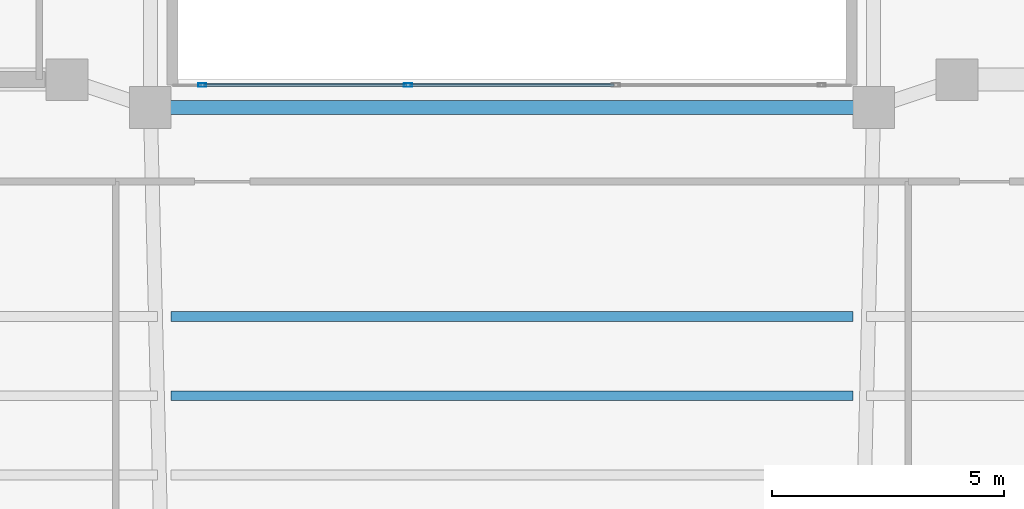
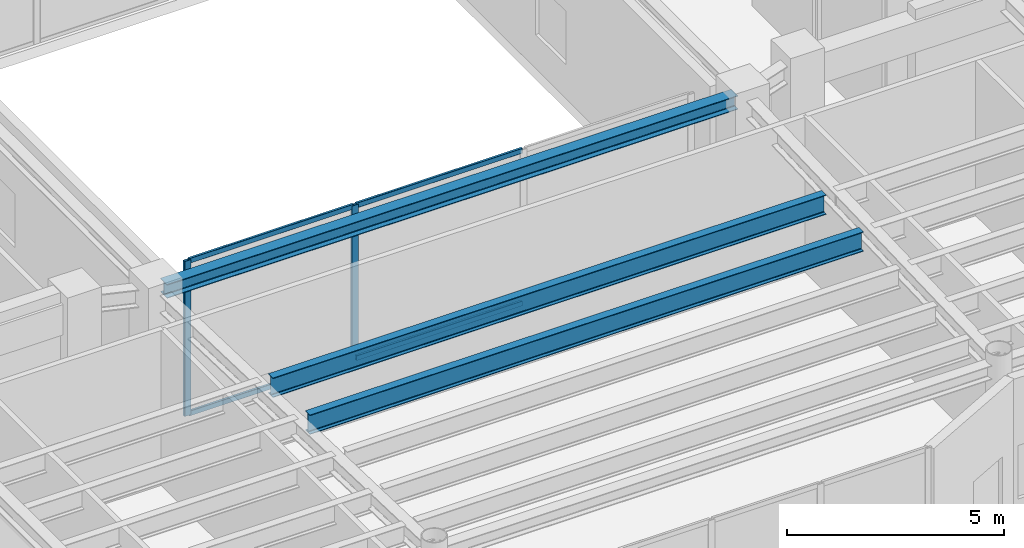
# One storey, part 3 of 23: 6 members, 3 beams, 1 element without a shape of its own.
"""IFC4 building model written with IfcOpenShell, lengths in metres."""

from ifc_helpers import new_model, si_unit, direction, frame, origin, origin_2d, place, context, subcontext, project, spatial, hollow_rectangle, i_section, extrude, material, layer, layer_set, material_profile, profile_set, type_object, element, aggregate, save


model = new_model("IFC4")

# Units and contexts
model_context = context("Model", 3, precision=1e-05, world=origin(), true_north=direction((0.0, 1.0)))
body_context = subcontext(model_context, "Body", "Model", "MODEL_VIEW")
ifc_project = project(units=[si_unit("LENGTHUNIT", "METRE"), si_unit("AREAUNIT", "SQUARE_METRE"), si_unit("VOLUMEUNIT", "CUBIC_METRE"), si_unit("PLANEANGLEUNIT", "RADIAN"), si_unit("MASSUNIT", "GRAM", prefix="KILO")], contexts=[model_context])

# Site, building, storey
site_placement = place(None, origin())
site = spatial("IfcSite", under=ifc_project, at=site_placement, CompositionType="ELEMENT")
building_placement = place(site_placement, origin())
building = spatial("IfcBuilding", under=site, at=building_placement, Name="Tarnavaz Court Tower", CompositionType="ELEMENT")
storey_placement = place(building_placement, frame((0.0, 0.0, 227.10009765625)))
storey = spatial("IfcBuildingStorey", under=building, at=storey_placement, Name="L62", CompositionType="ELEMENT", Elevation=227.10009765625)

# Beams
ifc_material_1 = material(Name="Steel S355", Category="steel")
ifc_material_profile_1 = material_profile(ifc_material_1, i_section(OverallWidth=0.2099609375, OverallDepth=0.550048828125, WebThickness=0.010986328125, FlangeThickness=0.01708984375, FilletRadius=0.02392578125, at=origin_2d()), Name="IPE 550")
ifc_profile_set_1 = profile_set([ifc_material_profile_1], Name="Steel S355")
beam_type_1 = type_object("IfcBeamType", Name="BM-J-IPE550", PredefinedType="JOIST", material=ifc_profile_set_1)
for number, where, z_axis, x_axis, name in (
    (1, (-7.35009765625, -12.31005859375, 4.074951171875), (1.0, 0.0, 0.0), (0.0, 1.0, 0.0), "L62 Beam JS1-2"),
    (2, (-7.35009765625, -14.02001953125, 4.074951171875), (1.0, 0.0, 0.0), (0.0, 1.0, 0.0), "L62 Beam JS2-2"),
):
    element("IfcBeam", number, at=place(storey_placement, frame(where, z_axis=z_axis, x_axis=x_axis)), inside=storey, type_object=beam_type_1, Name=name, PredefinedType="JOIST", context=body_context, shape_type="SweptSolid", body=[
        extrude(i_section(OverallWidth=0.2099609375, OverallDepth=0.550048828125, WebThickness=0.010986328125, FlangeThickness=0.01708984375, FilletRadius=0.02392578125, at=origin_2d()), origin(), (0.0, 0.0, 1.0), 14.7001953125),
    ])
ifc_material_profile_2 = material_profile(ifc_material_1, i_section(OverallWidth=0.300048828125, OverallDepth=0.389892578125, WebThickness=0.010986328125, FlangeThickness=0.01904296875, FilletRadius=0.027099609375, at=origin_2d()), Name="HEA 400")
ifc_profile_set_2 = profile_set([ifc_material_profile_2], Name="Steel S355")
beam_type_2 = type_object("IfcBeamType", Name="BM-SP-HEA400", PredefinedType="BEAM", material=ifc_profile_set_2)
beam_placement = place(storey_placement, frame((-7.580078125, -7.800048828125, 4.15478515625), z_axis=(1.0, 0.0, 0.0), x_axis=(0.0, 1.0, 0.0)))
element("IfcBeam", 3, at=beam_placement, inside=storey, type_object=beam_type_2, Name="L62 Beam IN-IW-SW-IW-SE", PredefinedType="BEAM", context=body_context, shape_type="SweptSolid", body=[
    extrude(i_section(OverallWidth=0.300048828125, OverallDepth=0.389892578125, WebThickness=0.010986328125, FlangeThickness=0.01904296875, FilletRadius=0.027099609375, at=origin_2d()), origin(), (0.0, 0.0, 1.0), 15.16015625),
])

# Curtain wall, members
ifc_material_2 = material(Name="Anodised Aluminium 6063-T6 and Solar Low-E Glazing", Category="aluminium")
ifc_layer = layer(ifc_material_2, 0.139892578125)
ifc_layer_set = layer_set([ifc_layer], Name="Anodised Aluminium 6063-T6 and Solar Low-E Glazing")
curtain_wall_type = type_object("IfcCurtainWallType", Name="CW-SYS-04", PredefinedType="NOTDEFINED", material=ifc_layer_set)
curtain_wall_placement = place(storey_placement, origin())
curtain_wall = element("IfcCurtainWall", 4, at=curtain_wall_placement, inside=storey, type_object=curtain_wall_type, Name="L62 Badgir Courtyard Curtain Wall S", PredefinedType="NOTDEFINED")
ifc_material_3 = material(Name="Anodised Aluminium 6063-T6", Category="aluminium")
ifc_material_profile_3 = material_profile(ifc_material_3, hollow_rectangle(XDim=0.074951171875, YDim=0.179931640625, WallThickness=0.0048828125, InnerFilletRadius=0.0048828125, OuterFilletRadius=0.010009765625, at=origin_2d()), Name="ALU RHS 180X75X5")
ifc_profile_set_3 = profile_set([ifc_material_profile_3], Name="Anodised Aluminium 6063-T6")
member_type_1 = type_object("IfcMemberType", Name="CW-MUL-180", PredefinedType="MULLION", material=ifc_profile_set_3)
member_1_placement = place(storey_placement, frame((-6.6826171875, -7.320068359375, 0.0), z_axis=(0.0, 0.0, 1.0), x_axis=(0.0, 1.0, 0.0)))
member_1 = element("IfcMember", 5, at=member_1_placement, type_object=member_type_1, Name="CW mullion 1", PredefinedType="MULLION", context=body_context, shape_type="SweptSolid", body=[
    extrude(hollow_rectangle(XDim=0.074951171875, YDim=0.179931640625, WallThickness=0.0048828125, InnerFilletRadius=0.0048828125, OuterFilletRadius=0.010009765625, at=origin_2d()), origin(), (0.0, 0.0, 1.0), 4.349853515625),
])
member_2_placement = place(storey_placement, frame((-2.239990234375, -7.320068359375, 0.0), z_axis=(0.0, 0.0, 1.0), x_axis=(0.0, 1.0, 0.0)))
member_2 = element("IfcMember", 6, at=member_2_placement, type_object=member_type_1, Name="CW mullion 2", PredefinedType="MULLION", context=body_context, shape_type="SweptSolid", body=[
    extrude(hollow_rectangle(XDim=0.074951171875, YDim=0.179931640625, WallThickness=0.0048828125, InnerFilletRadius=0.0048828125, OuterFilletRadius=0.010009765625, at=origin_2d()), origin(), (0.0, 0.0, 1.0), 4.349853515625),
])
ifc_material_profile_4 = material_profile(ifc_material_3, hollow_rectangle(XDim=0.06494140625, YDim=0.139892578125, WallThickness=0.00390625, InnerFilletRadius=0.00390625, OuterFilletRadius=0.008056640625, at=origin_2d()), Name="ALU RHS 140X65X4")
ifc_profile_set_4 = profile_set([ifc_material_profile_4], Name="Anodised Aluminium 6063-T6")
member_type_2 = type_object("IfcMemberType", Name="CW-TRN-140", PredefinedType="USERDEFINED", material=ifc_profile_set_4)
member_3_placement = place(storey_placement, frame((-6.64501953125, -7.320068359375, 0.032470703125), z_axis=(1.0, 0.0, 0.0), x_axis=(0.0, 1.0, 0.0)))
member_3 = element("IfcMember", 7, at=member_3_placement, type_object=member_type_2, Name="CW transom 1.1", ObjectType="TRANSOM", PredefinedType="USERDEFINED", context=body_context, shape_type="SweptSolid", body=[
    extrude(hollow_rectangle(XDim=0.06494140625, YDim=0.139892578125, WallThickness=0.00390625, InnerFilletRadius=0.00390625, OuterFilletRadius=0.008056640625, at=origin_2d()), origin(), (0.0, 0.0, 1.0), 4.367431640625),
])
member_4_placement = place(storey_placement, frame((-6.64501953125, -7.320068359375, 4.3173828125), z_axis=(1.0, 0.0, 0.0), x_axis=(0.0, 1.0, 0.0)))
member_4 = element("IfcMember", 8, at=member_4_placement, type_object=member_type_2, Name="CW transom 1.2", ObjectType="TRANSOM", PredefinedType="USERDEFINED", context=body_context, shape_type="SweptSolid", body=[
    extrude(hollow_rectangle(XDim=0.06494140625, YDim=0.139892578125, WallThickness=0.00390625, InnerFilletRadius=0.00390625, OuterFilletRadius=0.008056640625, at=origin_2d()), origin(), (0.0, 0.0, 1.0), 4.367431640625),
])
member_5_placement = place(storey_placement, frame((-2.202392578125, -7.320068359375, 0.032470703125), z_axis=(1.0, 0.0, 0.0), x_axis=(0.0, 1.0, 0.0)))
member_5 = element("IfcMember", 9, at=member_5_placement, type_object=member_type_2, Name="CW transom 2.1", ObjectType="TRANSOM", PredefinedType="USERDEFINED", context=body_context, shape_type="SweptSolid", body=[
    extrude(hollow_rectangle(XDim=0.06494140625, YDim=0.139892578125, WallThickness=0.00390625, InnerFilletRadius=0.00390625, OuterFilletRadius=0.008056640625, at=origin_2d()), origin(), (0.0, 0.0, 1.0), 4.40478515625),
])
member_6_placement = place(storey_placement, frame((-2.202392578125, -7.320068359375, 4.3173828125), z_axis=(1.0, 0.0, 0.0), x_axis=(0.0, 1.0, 0.0)))
member_6 = element("IfcMember", 10, at=member_6_placement, type_object=member_type_2, Name="CW transom 2.2", ObjectType="TRANSOM", PredefinedType="USERDEFINED", context=body_context, shape_type="SweptSolid", body=[
    extrude(hollow_rectangle(XDim=0.06494140625, YDim=0.139892578125, WallThickness=0.00390625, InnerFilletRadius=0.00390625, OuterFilletRadius=0.008056640625, at=origin_2d()), origin(), (0.0, 0.0, 1.0), 4.40478515625),
])
aggregate(curtain_wall, [member_1, member_2, member_3, member_4, member_5, member_6])

save(model, "model.ifc")
